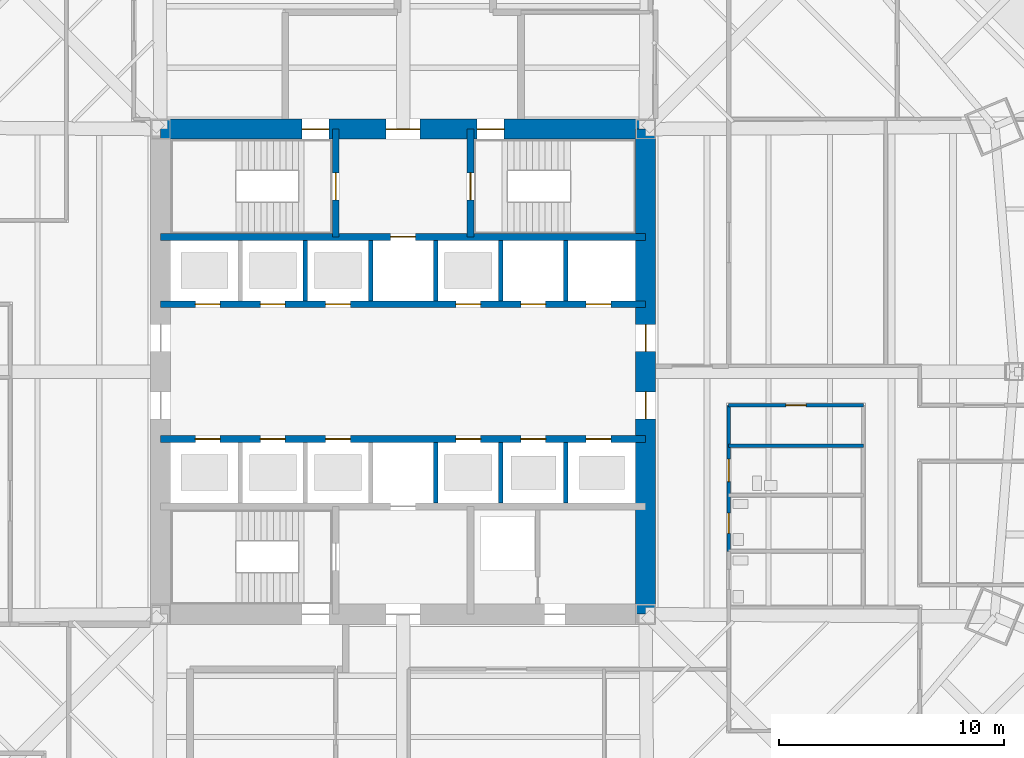
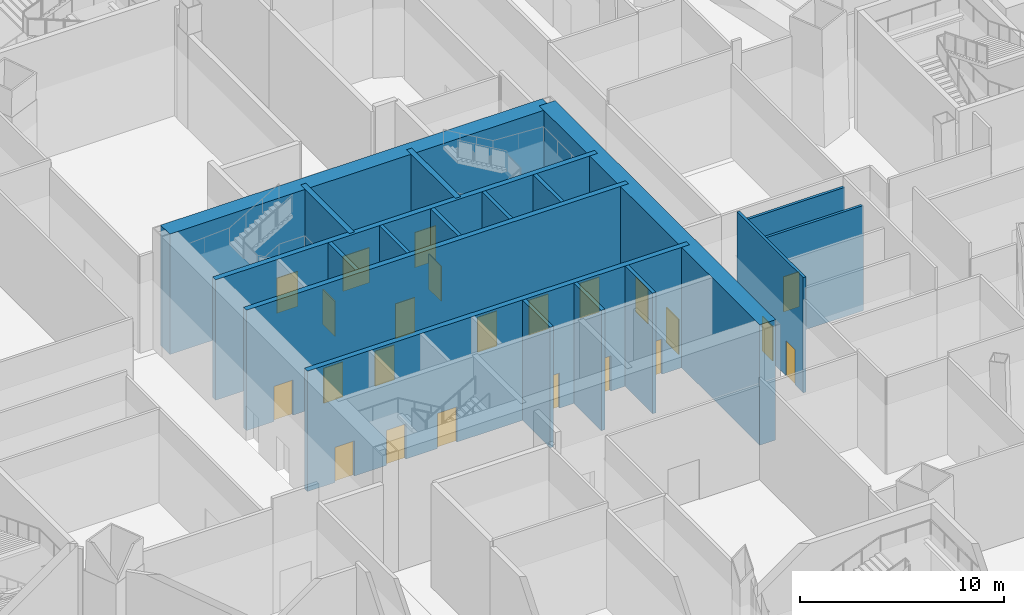
# One storey, part 22 of 35: 23 doors, 18 walls, 23 openings.
"""IFC4 building model written with IfcOpenShell, lengths in metres."""

from ifc_helpers import new_model, si_unit, direction, frame, frame_2d, origin, place, context, subcontext, project, spatial, rectangle, extrude, material, layer, layer_set, type_object, element, fill, save


model = new_model("IFC4")

# Units and contexts
model_context = context("Model", 3, precision=1e-05, world=origin(), true_north=direction((0.0, 1.0)))
body_context = subcontext(model_context, "Body", "Model", "MODEL_VIEW")
ifc_project = project(units=[si_unit("LENGTHUNIT", "METRE"), si_unit("AREAUNIT", "SQUARE_METRE"), si_unit("VOLUMEUNIT", "CUBIC_METRE"), si_unit("PLANEANGLEUNIT", "RADIAN"), si_unit("MASSUNIT", "GRAM", prefix="KILO")], contexts=[model_context])

# Site, building, storey
site_placement = place(None, origin())
site = spatial("IfcSite", under=ifc_project, at=site_placement, CompositionType="ELEMENT")
building_placement = place(site_placement, origin())
building = spatial("IfcBuilding", under=site, at=building_placement, Name="Mashrafa Tower", CompositionType="ELEMENT")
storey_placement = place(building_placement, origin())
storey = spatial("IfcBuildingStorey", under=building, at=storey_placement, Name="L00", CompositionType="ELEMENT", Elevation=0.0)

# Wall, openings, doors
ifc_material_1 = material(Name="Concrete C60/75", Category="concrete")
ifc_layer_1 = layer(ifc_material_1, 0.300048828125)
ifc_layer_set_1 = layer_set([ifc_layer_1], Name="Core wall 300 C60/75")
wall_type_1 = type_object("IfcWallType", Name="Core wall 300 C60/75", PredefinedType="SOLIDWALL", material=ifc_layer_set_1)
wall_1_placement = place(storey_placement, frame((-10.800048828125, 3.0, 0.0), z_axis=(0.0, 0.0, 1.0), x_axis=(1.0, 0.0, 0.0)))
wall_1 = element("IfcWall", 1, at=wall_1_placement, inside=storey, type_object=wall_type_1, Name="Core wall CH-N L00", PredefinedType="SOLIDWALL", context=body_context, shape_type="SweptSolid", body=[
    extrude(rectangle(XDim=21.60009765625, YDim=0.300048828125, at=frame_2d((10.800048828125, 0.0))), origin(), (0.0, 0.0, 1.0), 7.199951171875),
])
opening_1_placement = place(wall_1_placement, frame((1.550048828125, 0.0, 0.0)))
opening_1 = element("IfcOpeningElement", 2, at=opening_1_placement, cuts=wall_1, Name="Opening 00.A1", PredefinedType="OPENING", context=body_context, shape_type="SweptSolid", body=[
    extrude(rectangle(XDim=1.10009765625, YDim=2.10009765625, at=frame_2d((0.550048828125, 1.050048828125))), frame((0.0, 0.159912109375, 0.0), z_axis=(0.0, -1.0, 0.0), x_axis=(1.0, 0.0, 0.0)), (0.0, 0.0, 1.0), 0.320068359375),
])
opening_2_placement = place(wall_1_placement, frame((4.449951171875, 0.0, 0.0)))
opening_2 = element("IfcOpeningElement", 3, at=opening_2_placement, cuts=wall_1, Name="Opening 00.A2", PredefinedType="OPENING", context=body_context, shape_type="SweptSolid", body=[
    extrude(rectangle(XDim=1.10009765625, YDim=2.10009765625, at=frame_2d((0.550048828125, 1.050048828125))), frame((0.0, 0.159912109375, 0.0), z_axis=(0.0, -1.0, 0.0), x_axis=(1.0, 0.0, 0.0)), (0.0, 0.0, 1.0), 0.320068359375),
])
opening_3_placement = place(wall_1_placement, frame((7.35009765625, 0.0, 0.0)))
opening_3 = element("IfcOpeningElement", 4, at=opening_3_placement, cuts=wall_1, Name="Opening 00.A3", PredefinedType="OPENING", context=body_context, shape_type="SweptSolid", body=[
    extrude(rectangle(XDim=1.10009765625, YDim=2.10009765625, at=frame_2d((0.550048828125, 1.050048828125))), frame((0.0, 0.159912109375, 0.0), z_axis=(0.0, -1.0, 0.0), x_axis=(1.0, 0.0, 0.0)), (0.0, 0.0, 1.0), 0.320068359375),
])
opening_4_placement = place(wall_1_placement, frame((13.14990234375, 0.0, 0.0)))
opening_4 = element("IfcOpeningElement", 5, at=opening_4_placement, cuts=wall_1, Name="Opening 00.A4", PredefinedType="OPENING", context=body_context, shape_type="SweptSolid", body=[
    extrude(rectangle(XDim=1.10009765625, YDim=2.10009765625, at=frame_2d((0.550048828125, 1.050048828125))), frame((0.0, 0.159912109375, 0.0), z_axis=(0.0, -1.0, 0.0), x_axis=(1.0, 0.0, 0.0)), (0.0, 0.0, 1.0), 0.320068359375),
])
opening_5_placement = place(wall_1_placement, frame((16.050048828125, 0.0, 0.0)))
opening_5 = element("IfcOpeningElement", 6, at=opening_5_placement, cuts=wall_1, Name="Opening 00.K1", PredefinedType="OPENING", context=body_context, shape_type="SweptSolid", body=[
    extrude(rectangle(XDim=1.10009765625, YDim=2.10009765625, at=frame_2d((0.550048828125, 1.050048828125))), frame((0.0, 0.159912109375, 0.0), z_axis=(0.0, -1.0, 0.0), x_axis=(1.0, 0.0, 0.0)), (0.0, 0.0, 1.0), 0.320068359375),
])
opening_6_placement = place(wall_1_placement, frame((18.949951171875, 0.0, 0.0)))
opening_6 = element("IfcOpeningElement", 7, at=opening_6_placement, cuts=wall_1, Name="Opening 00.K2", PredefinedType="OPENING", context=body_context, shape_type="SweptSolid", body=[
    extrude(rectangle(XDim=1.10009765625, YDim=2.10009765625, at=frame_2d((0.550048828125, 1.050048828125))), frame((0.0, 0.159912109375, 0.0), z_axis=(0.0, -1.0, 0.0), x_axis=(1.0, 0.0, 0.0)), (0.0, 0.0, 1.0), 0.320068359375),
])
ifc_material_2 = material(Name="Steel door", Category="steel")
door_type_1 = type_object("IfcDoorType", Name="Lift landing door 1100 x 2100 90 min", OperationType="DOUBLE_DOOR_SLIDING", PredefinedType="DOOR", material=ifc_material_2)
door_1_placement = place(opening_1_placement, origin())
door_1 = element("IfcDoor", 8, at=door_1_placement, inside=storey, type_object=door_type_1, Name="Lift landing door A1 L00", OperationType="DOUBLE_DOOR_SLIDING", OverallHeight=2.10009765625, OverallWidth=1.10009765625, PredefinedType="DOOR", context=body_context, shape_type="SweptSolid", body=[
    extrude(rectangle(XDim=1.10009765625, YDim=2.10009765625, at=frame_2d((0.550048828125, 1.050048828125))), frame((0.0, 0.02490234375, 0.0), z_axis=(0.0, -1.0, 0.0), x_axis=(1.0, 0.0, 0.0)), (0.0, 0.0, 1.0), 0.050048828125),
])
fill(opening_1, door_1)
door_2_placement = place(opening_2_placement, origin())
door_2 = element("IfcDoor", 9, at=door_2_placement, inside=storey, type_object=door_type_1, Name="Lift landing door A2 L00", OperationType="DOUBLE_DOOR_SLIDING", OverallHeight=2.10009765625, OverallWidth=1.10009765625, PredefinedType="DOOR", context=body_context, shape_type="SweptSolid", body=[
    extrude(rectangle(XDim=1.10009765625, YDim=2.10009765625, at=frame_2d((0.550048828125, 1.050048828125))), frame((0.0, 0.02490234375, 0.0), z_axis=(0.0, -1.0, 0.0), x_axis=(1.0, 0.0, 0.0)), (0.0, 0.0, 1.0), 0.050048828125),
])
fill(opening_2, door_2)
door_3_placement = place(opening_3_placement, origin())
door_3 = element("IfcDoor", 10, at=door_3_placement, inside=storey, type_object=door_type_1, Name="Lift landing door A3 L00", OperationType="DOUBLE_DOOR_SLIDING", OverallHeight=2.10009765625, OverallWidth=1.10009765625, PredefinedType="DOOR", context=body_context, shape_type="SweptSolid", body=[
    extrude(rectangle(XDim=1.10009765625, YDim=2.10009765625, at=frame_2d((0.550048828125, 1.050048828125))), frame((0.0, 0.02490234375, 0.0), z_axis=(0.0, -1.0, 0.0), x_axis=(1.0, 0.0, 0.0)), (0.0, 0.0, 1.0), 0.050048828125),
])
fill(opening_3, door_3)
door_4_placement = place(opening_4_placement, origin())
door_4 = element("IfcDoor", 11, at=door_4_placement, inside=storey, type_object=door_type_1, Name="Lift landing door A4 L00", OperationType="DOUBLE_DOOR_SLIDING", OverallHeight=2.10009765625, OverallWidth=1.10009765625, PredefinedType="DOOR", context=body_context, shape_type="SweptSolid", body=[
    extrude(rectangle(XDim=1.10009765625, YDim=2.10009765625, at=frame_2d((0.550048828125, 1.050048828125))), frame((0.0, 0.02490234375, 0.0), z_axis=(0.0, -1.0, 0.0), x_axis=(1.0, 0.0, 0.0)), (0.0, 0.0, 1.0), 0.050048828125),
])
fill(opening_4, door_4)
door_5_placement = place(opening_5_placement, origin())
door_5 = element("IfcDoor", 12, at=door_5_placement, inside=storey, type_object=door_type_1, Name="Lift landing door K1 L00", OperationType="DOUBLE_DOOR_SLIDING", OverallHeight=2.10009765625, OverallWidth=1.10009765625, PredefinedType="DOOR", context=body_context, shape_type="SweptSolid", body=[
    extrude(rectangle(XDim=1.10009765625, YDim=2.10009765625, at=frame_2d((0.550048828125, 1.050048828125))), frame((0.0, 0.02490234375, 0.0), z_axis=(0.0, -1.0, 0.0), x_axis=(1.0, 0.0, 0.0)), (0.0, 0.0, 1.0), 0.050048828125),
])
fill(opening_5, door_5)
door_6_placement = place(opening_6_placement, origin())
door_6 = element("IfcDoor", 13, at=door_6_placement, inside=storey, type_object=door_type_1, Name="Lift landing door K2 L00", OperationType="DOUBLE_DOOR_SLIDING", OverallHeight=2.10009765625, OverallWidth=1.10009765625, PredefinedType="DOOR", context=body_context, shape_type="SweptSolid", body=[
    extrude(rectangle(XDim=1.10009765625, YDim=2.10009765625, at=frame_2d((0.550048828125, 1.050048828125))), frame((0.0, 0.02490234375, 0.0), z_axis=(0.0, -1.0, 0.0), x_axis=(1.0, 0.0, 0.0)), (0.0, 0.0, 1.0), 0.050048828125),
])
fill(opening_6, door_6)

# Wall, opening, door
wall_2_placement = place(storey_placement, frame((-10.800048828125, 6.0, 0.0), z_axis=(0.0, 0.0, 1.0), x_axis=(1.0, 0.0, 0.0)))
wall_2 = element("IfcWall", 14, at=wall_2_placement, inside=storey, type_object=wall_type_1, Name="Core wall CB-N L00", PredefinedType="SOLIDWALL", context=body_context, shape_type="SweptSolid", body=[
    extrude(rectangle(XDim=21.60009765625, YDim=0.300048828125, at=frame_2d((10.800048828125, 0.0))), origin(), (0.0, 0.0, 1.0), 7.199951171875),
])
opening_7_placement = place(wall_2_placement, frame((10.25, 0.0, 0.0)))
opening_7 = element("IfcOpeningElement", 15, at=opening_7_placement, cuts=wall_2, Name="Opening 00.F1", PredefinedType="OPENING", context=body_context, shape_type="SweptSolid", body=[
    extrude(rectangle(XDim=1.10009765625, YDim=2.10009765625, at=frame_2d((0.550048828125, 1.050048828125))), frame((0.0, 0.159912109375, 0.0), z_axis=(0.0, -1.0, 0.0), x_axis=(1.0, 0.0, 0.0)), (0.0, 0.0, 1.0), 0.320068359375),
])
door_7_placement = place(opening_7_placement, origin())
door_7 = element("IfcDoor", 16, at=door_7_placement, inside=storey, type_object=door_type_1, Name="Lift landing door F1 L00", OperationType="DOUBLE_DOOR_SLIDING", OverallHeight=2.10009765625, OverallWidth=1.10009765625, PredefinedType="DOOR", context=body_context, shape_type="SweptSolid", body=[
    extrude(rectangle(XDim=1.10009765625, YDim=2.10009765625, at=frame_2d((0.550048828125, 1.050048828125))), frame((0.0, 0.02490234375, 0.0), z_axis=(0.0, -1.0, 0.0), x_axis=(1.0, 0.0, 0.0)), (0.0, 0.0, 1.0), 0.050048828125),
])
fill(opening_7, door_7)

wall_3_placement = place(storey_placement, frame((-3.0, 6.0, 0.0), z_axis=(0.0, 0.0, 1.0), x_axis=(0.0, 1.0, 0.0)))
wall_3 = element("IfcWall", 17, at=wall_3_placement, inside=storey, type_object=wall_type_1, Name="Core wall CX-NW L00", PredefinedType="SOLIDWALL", context=body_context, shape_type="SweptSolid", body=[
    extrude(rectangle(XDim=4.800048828125, YDim=0.300048828125, at=frame_2d((2.39990234375, 0.0))), origin(), (0.0, 0.0, 1.0), 7.199951171875),
])
opening_8_placement = place(wall_3_placement, frame((1.64990234375, 0.0, 0.0)))
opening_8 = element("IfcOpeningElement", 18, at=opening_8_placement, cuts=wall_3, Name="Opening 00.037", PredefinedType="OPENING", context=body_context, shape_type="SweptSolid", body=[
    extrude(rectangle(XDim=1.199951171875, YDim=2.10009765625, at=frame_2d((0.60009765625, 1.050048828125))), frame((0.0, 0.159912109375, 0.0), z_axis=(0.0, -1.0, 0.0), x_axis=(1.0, 0.0, 0.0)), (0.0, 0.0, 1.0), 0.320068359375),
])
ifc_material_3 = material(Name="Steel door", Category="steel")
door_type_2 = type_object("IfcDoorType", Name="Stair door 1200 x 2100 90 min", OperationType="USERDEFINED", PredefinedType="DOOR", material=ifc_material_3)
door_8_placement = place(opening_8_placement, origin())
door_8 = element("IfcDoor", 19, at=door_8_placement, inside=storey, type_object=door_type_2, Name="Stair S1 door L00", OperationType="SINGLE_SWING_LEFT", OverallHeight=2.10009765625, OverallWidth=1.199951171875, PredefinedType="DOOR", context=body_context, shape_type="SweptSolid", body=[
    extrude(rectangle(XDim=1.199951171875, YDim=2.10009765625, at=frame_2d((0.60009765625, 1.050048828125))), frame((0.0, 0.02490234375, 0.0), z_axis=(0.0, -1.0, 0.0), x_axis=(1.0, 0.0, 0.0)), (0.0, 0.0, 1.0), 0.050048828125),
])
fill(opening_8, door_8)

wall_4_placement = place(storey_placement, frame((3.0, 6.0, 0.0), z_axis=(0.0, 0.0, 1.0), x_axis=(0.0, 1.0, 0.0)))
wall_4 = element("IfcWall", 20, at=wall_4_placement, inside=storey, type_object=wall_type_1, Name="Core wall CX-NE L00", PredefinedType="SOLIDWALL", context=body_context, shape_type="SweptSolid", body=[
    extrude(rectangle(XDim=4.800048828125, YDim=0.300048828125, at=frame_2d((2.39990234375, 0.0))), origin(), (0.0, 0.0, 1.0), 7.199951171875),
])
opening_9_placement = place(wall_4_placement, frame((1.64990234375, 0.0, 0.0)))
opening_9 = element("IfcOpeningElement", 21, at=opening_9_placement, cuts=wall_4, Name="Opening 00.038", PredefinedType="OPENING", context=body_context, shape_type="SweptSolid", body=[
    extrude(rectangle(XDim=1.199951171875, YDim=2.10009765625, at=frame_2d((0.60009765625, 1.050048828125))), frame((0.0, 0.159912109375, 0.0), z_axis=(0.0, -1.0, 0.0), x_axis=(1.0, 0.0, 0.0)), (0.0, 0.0, 1.0), 0.320068359375),
])
door_9_placement = place(opening_9_placement, frame((1.199951171875, 0.0, 0.0), z_axis=(0.0, 0.0, 1.0), x_axis=(-1.0, 0.0, 0.0)))
door_9 = element("IfcDoor", 22, at=door_9_placement, inside=storey, type_object=door_type_2, Name="Stair S2 door L00", OperationType="SINGLE_SWING_RIGHT", OverallHeight=2.10009765625, OverallWidth=1.199951171875, PredefinedType="DOOR", context=body_context, shape_type="SweptSolid", body=[
    extrude(rectangle(XDim=1.199951171875, YDim=2.10009765625, at=frame_2d((0.60009765625, 1.050048828125))), frame((0.0, 0.02490234375, 0.0), z_axis=(0.0, -1.0, 0.0), x_axis=(1.0, 0.0, 0.0)), (0.0, 0.0, 1.0), 0.050048828125),
])
fill(opening_9, door_9)

# Wall, openings, doors
wall_5_placement = place(storey_placement, frame((-10.800048828125, -3.0, 0.0), z_axis=(0.0, 0.0, 1.0), x_axis=(1.0, 0.0, 0.0)))
wall_5 = element("IfcWall", 23, at=wall_5_placement, inside=storey, type_object=wall_type_1, Name="Core wall CH-S L00", PredefinedType="SOLIDWALL", context=body_context, shape_type="SweptSolid", body=[
    extrude(rectangle(XDim=21.60009765625, YDim=0.300048828125, at=frame_2d((10.800048828125, 0.0))), origin(), (0.0, 0.0, 1.0), 7.199951171875),
])
opening_10_placement = place(wall_5_placement, frame((1.550048828125, 0.0, 0.0)))
opening_10 = element("IfcOpeningElement", 24, at=opening_10_placement, cuts=wall_5, Name="Opening 00.B1", PredefinedType="OPENING", context=body_context, shape_type="SweptSolid", body=[
    extrude(rectangle(XDim=1.10009765625, YDim=2.10009765625, at=frame_2d((0.550048828125, 1.050048828125))), frame((0.0, 0.159912109375, 0.0), z_axis=(0.0, -1.0, 0.0), x_axis=(1.0, 0.0, 0.0)), (0.0, 0.0, 1.0), 0.320068359375),
])
opening_11_placement = place(wall_5_placement, frame((4.449951171875, 0.0, 0.0)))
opening_11 = element("IfcOpeningElement", 25, at=opening_11_placement, cuts=wall_5, Name="Opening 00.B2", PredefinedType="OPENING", context=body_context, shape_type="SweptSolid", body=[
    extrude(rectangle(XDim=1.10009765625, YDim=2.10009765625, at=frame_2d((0.550048828125, 1.050048828125))), frame((0.0, 0.159912109375, 0.0), z_axis=(0.0, -1.0, 0.0), x_axis=(1.0, 0.0, 0.0)), (0.0, 0.0, 1.0), 0.320068359375),
])
opening_12_placement = place(wall_5_placement, frame((7.35009765625, 0.0, 0.0)))
opening_12 = element("IfcOpeningElement", 26, at=opening_12_placement, cuts=wall_5, Name="Opening 00.B3", PredefinedType="OPENING", context=body_context, shape_type="SweptSolid", body=[
    extrude(rectangle(XDim=1.10009765625, YDim=2.10009765625, at=frame_2d((0.550048828125, 1.050048828125))), frame((0.0, 0.159912109375, 0.0), z_axis=(0.0, -1.0, 0.0), x_axis=(1.0, 0.0, 0.0)), (0.0, 0.0, 1.0), 0.320068359375),
])
opening_13_placement = place(wall_5_placement, frame((13.14990234375, 0.0, 0.0)))
opening_13 = element("IfcOpeningElement", 27, at=opening_13_placement, cuts=wall_5, Name="Opening 00.B4", PredefinedType="OPENING", context=body_context, shape_type="SweptSolid", body=[
    extrude(rectangle(XDim=1.10009765625, YDim=2.10009765625, at=frame_2d((0.550048828125, 1.050048828125))), frame((0.0, 0.159912109375, 0.0), z_axis=(0.0, -1.0, 0.0), x_axis=(1.0, 0.0, 0.0)), (0.0, 0.0, 1.0), 0.320068359375),
])
opening_14_placement = place(wall_5_placement, frame((16.050048828125, 0.0, 0.0)))
opening_14 = element("IfcOpeningElement", 28, at=opening_14_placement, cuts=wall_5, Name="Opening 00.R1", PredefinedType="OPENING", context=body_context, shape_type="SweptSolid", body=[
    extrude(rectangle(XDim=1.10009765625, YDim=2.10009765625, at=frame_2d((0.550048828125, 1.050048828125))), frame((0.0, 0.159912109375, 0.0), z_axis=(0.0, -1.0, 0.0), x_axis=(1.0, 0.0, 0.0)), (0.0, 0.0, 1.0), 0.320068359375),
])
opening_15_placement = place(wall_5_placement, frame((18.949951171875, 0.0, 0.0)))
opening_15 = element("IfcOpeningElement", 29, at=opening_15_placement, cuts=wall_5, Name="Opening 00.R2", PredefinedType="OPENING", context=body_context, shape_type="SweptSolid", body=[
    extrude(rectangle(XDim=1.10009765625, YDim=2.10009765625, at=frame_2d((0.550048828125, 1.050048828125))), frame((0.0, 0.159912109375, 0.0), z_axis=(0.0, -1.0, 0.0), x_axis=(1.0, 0.0, 0.0)), (0.0, 0.0, 1.0), 0.320068359375),
])
door_10_placement = place(opening_10_placement, origin())
door_10 = element("IfcDoor", 30, at=door_10_placement, inside=storey, type_object=door_type_1, Name="Lift landing door B1 L00", OperationType="DOUBLE_DOOR_SLIDING", OverallHeight=2.10009765625, OverallWidth=1.10009765625, PredefinedType="DOOR", context=body_context, shape_type="SweptSolid", body=[
    extrude(rectangle(XDim=1.10009765625, YDim=2.10009765625, at=frame_2d((0.550048828125, 1.050048828125))), frame((0.0, 0.02490234375, 0.0), z_axis=(0.0, -1.0, 0.0), x_axis=(1.0, 0.0, 0.0)), (0.0, 0.0, 1.0), 0.050048828125),
])
fill(opening_10, door_10)
door_11_placement = place(opening_11_placement, origin())
door_11 = element("IfcDoor", 31, at=door_11_placement, inside=storey, type_object=door_type_1, Name="Lift landing door B2 L00", OperationType="DOUBLE_DOOR_SLIDING", OverallHeight=2.10009765625, OverallWidth=1.10009765625, PredefinedType="DOOR", context=body_context, shape_type="SweptSolid", body=[
    extrude(rectangle(XDim=1.10009765625, YDim=2.10009765625, at=frame_2d((0.550048828125, 1.050048828125))), frame((0.0, 0.02490234375, 0.0), z_axis=(0.0, -1.0, 0.0), x_axis=(1.0, 0.0, 0.0)), (0.0, 0.0, 1.0), 0.050048828125),
])
fill(opening_11, door_11)
door_12_placement = place(opening_12_placement, origin())
door_12 = element("IfcDoor", 32, at=door_12_placement, inside=storey, type_object=door_type_1, Name="Lift landing door B3 L00", OperationType="DOUBLE_DOOR_SLIDING", OverallHeight=2.10009765625, OverallWidth=1.10009765625, PredefinedType="DOOR", context=body_context, shape_type="SweptSolid", body=[
    extrude(rectangle(XDim=1.10009765625, YDim=2.10009765625, at=frame_2d((0.550048828125, 1.050048828125))), frame((0.0, 0.02490234375, 0.0), z_axis=(0.0, -1.0, 0.0), x_axis=(1.0, 0.0, 0.0)), (0.0, 0.0, 1.0), 0.050048828125),
])
fill(opening_12, door_12)
door_13_placement = place(opening_13_placement, origin())
door_13 = element("IfcDoor", 33, at=door_13_placement, inside=storey, type_object=door_type_1, Name="Lift landing door B4 L00", OperationType="DOUBLE_DOOR_SLIDING", OverallHeight=2.10009765625, OverallWidth=1.10009765625, PredefinedType="DOOR", context=body_context, shape_type="SweptSolid", body=[
    extrude(rectangle(XDim=1.10009765625, YDim=2.10009765625, at=frame_2d((0.550048828125, 1.050048828125))), frame((0.0, 0.02490234375, 0.0), z_axis=(0.0, -1.0, 0.0), x_axis=(1.0, 0.0, 0.0)), (0.0, 0.0, 1.0), 0.050048828125),
])
fill(opening_13, door_13)
door_14_placement = place(opening_14_placement, origin())
door_14 = element("IfcDoor", 34, at=door_14_placement, inside=storey, type_object=door_type_1, Name="Lift landing door R1 L00", OperationType="DOUBLE_DOOR_SLIDING", OverallHeight=2.10009765625, OverallWidth=1.10009765625, PredefinedType="DOOR", context=body_context, shape_type="SweptSolid", body=[
    extrude(rectangle(XDim=1.10009765625, YDim=2.10009765625, at=frame_2d((0.550048828125, 1.050048828125))), frame((0.0, 0.02490234375, 0.0), z_axis=(0.0, -1.0, 0.0), x_axis=(1.0, 0.0, 0.0)), (0.0, 0.0, 1.0), 0.050048828125),
])
fill(opening_14, door_14)
door_15_placement = place(opening_15_placement, origin())
door_15 = element("IfcDoor", 35, at=door_15_placement, inside=storey, type_object=door_type_1, Name="Lift landing door R2 L00", OperationType="DOUBLE_DOOR_SLIDING", OverallHeight=2.10009765625, OverallWidth=1.10009765625, PredefinedType="DOOR", context=body_context, shape_type="SweptSolid", body=[
    extrude(rectangle(XDim=1.10009765625, YDim=2.10009765625, at=frame_2d((0.550048828125, 1.050048828125))), frame((0.0, 0.02490234375, 0.0), z_axis=(0.0, -1.0, 0.0), x_axis=(1.0, 0.0, 0.0)), (0.0, 0.0, 1.0), 0.050048828125),
])
fill(opening_15, door_15)

ifc_material_4 = material(Name="Concrete C60/75", Category="concrete")
ifc_layer_2 = layer(ifc_material_4, 0.89990234375)
ifc_layer_set_2 = layer_set([ifc_layer_2], Name="Core wall 900 C60/75")
wall_type_2 = type_object("IfcWallType", Name="Core wall 900 C60/75", PredefinedType="SOLIDWALL", material=ifc_layer_set_2)
wall_6_placement = place(storey_placement, frame((10.800048828125, -10.800048828125, 0.0), z_axis=(0.0, 0.0, 1.0), x_axis=(0.0, 1.0, 0.0)))
wall_6 = element("IfcWall", 36, at=wall_6_placement, inside=storey, type_object=wall_type_2, Name="Core wall CW-E L00", PredefinedType="SOLIDWALL", context=body_context, shape_type="SweptSolid", body=[
    extrude(rectangle(XDim=21.60009765625, YDim=0.89990234375, at=frame_2d((10.800048828125, 0.0))), origin(), (0.0, 0.0, 1.0), 7.199951171875),
])
opening_16_placement = place(wall_6_placement, frame((11.699951171875, 0.0, 0.0)))
opening_16 = element("IfcOpeningElement", 37, at=opening_16_placement, cuts=wall_6, Name="Opening 00.031", PredefinedType="OPENING", context=body_context, shape_type="SweptSolid", body=[
    extrude(rectangle(XDim=1.199951171875, YDim=2.10009765625, at=frame_2d((0.60009765625, 1.050048828125))), frame((0.0, 0.4599609375, 0.0), z_axis=(0.0, -1.0, 0.0), x_axis=(1.0, 0.0, 0.0)), (0.0, 0.0, 1.0), 0.919921875),
])
opening_17_placement = place(wall_6_placement, frame((8.699951171875, 0.0, 0.0)))
opening_17 = element("IfcOpeningElement", 38, at=opening_17_placement, cuts=wall_6, Name="Opening 00.033", PredefinedType="OPENING", context=body_context, shape_type="SweptSolid", body=[
    extrude(rectangle(XDim=1.199951171875, YDim=2.10009765625, at=frame_2d((0.60009765625, 1.050048828125))), frame((0.0, 0.4599609375, 0.0), z_axis=(0.0, -1.0, 0.0), x_axis=(1.0, 0.0, 0.0)), (0.0, 0.0, 1.0), 0.919921875),
])
ifc_material_5 = material(Name="Steel door", Category="steel")
door_type_3 = type_object("IfcDoorType", Name="Lift hall door 1200 x 2100 90 min", OperationType="USERDEFINED", PredefinedType="DOOR", material=ifc_material_5)
door_16_placement = place(opening_16_placement, frame((1.199951171875, 0.0, 0.0), z_axis=(0.0, 0.0, 1.0), x_axis=(-1.0, 0.0, 0.0)))
door_16 = element("IfcDoor", 39, at=door_16_placement, inside=storey, type_object=door_type_3, Name="Lift hall door east L00", OperationType="SINGLE_SWING_RIGHT", OverallHeight=2.10009765625, OverallWidth=1.199951171875, PredefinedType="DOOR", context=body_context, shape_type="SweptSolid", body=[
    extrude(rectangle(XDim=1.199951171875, YDim=2.10009765625, at=frame_2d((0.60009765625, 1.050048828125))), frame((0.0, 0.02490234375, 0.0), z_axis=(0.0, -1.0, 0.0), x_axis=(1.0, 0.0, 0.0)), (0.0, 0.0, 1.0), 0.050048828125),
])
fill(opening_16, door_16)
door_17_placement = place(opening_17_placement, frame((1.199951171875, 0.0, 0.0), z_axis=(0.0, 0.0, 1.0), x_axis=(-1.0, 0.0, 0.0)))
door_17 = element("IfcDoor", 40, at=door_17_placement, inside=storey, type_object=door_type_3, Name="Lift hall door east L00", OperationType="SINGLE_SWING_LEFT", OverallHeight=2.10009765625, OverallWidth=1.199951171875, PredefinedType="DOOR", context=body_context, shape_type="SweptSolid", body=[
    extrude(rectangle(XDim=1.199951171875, YDim=2.10009765625, at=frame_2d((0.60009765625, 1.050048828125))), frame((0.0, 0.02490234375, 0.0), z_axis=(0.0, -1.0, 0.0), x_axis=(1.0, 0.0, 0.0)), (0.0, 0.0, 1.0), 0.050048828125),
])
fill(opening_17, door_17)

wall_7_placement = place(storey_placement, frame((10.800048828125, 10.800048828125, 0.0), z_axis=(0.0, 0.0, 1.0), x_axis=(-1.0, 0.0, 0.0)))
wall_7 = element("IfcWall", 41, at=wall_7_placement, inside=storey, type_object=wall_type_2, Name="Core wall CW-N L00", PredefinedType="SOLIDWALL", context=body_context, shape_type="SweptSolid", body=[
    extrude(rectangle(XDim=21.60009765625, YDim=0.89990234375, at=frame_2d((10.800048828125, 0.0))), origin(), (0.0, 0.0, 1.0), 7.199951171875),
])
opening_18_placement = place(wall_7_placement, frame((10.050048828125, 0.0, 0.0)))
opening_18 = element("IfcOpeningElement", 42, at=opening_18_placement, cuts=wall_7, Name="Opening 00.035", PredefinedType="OPENING", context=body_context, shape_type="SweptSolid", body=[
    extrude(rectangle(XDim=1.5, YDim=2.10009765625, at=frame_2d((0.75, 1.050048828125))), frame((0.0, 0.4599609375, 0.0), z_axis=(0.0, -1.0, 0.0), x_axis=(1.0, 0.0, 0.0)), (0.0, 0.0, 1.0), 0.919921875),
])
opening_19_placement = place(wall_7_placement, frame((14.10009765625, 0.0, 0.0)))
opening_19 = element("IfcOpeningElement", 43, at=opening_19_placement, cuts=wall_7, Name="Opening 00.040", PredefinedType="OPENING", context=body_context, shape_type="SweptSolid", body=[
    extrude(rectangle(XDim=1.199951171875, YDim=2.10009765625, at=frame_2d((0.60009765625, 1.050048828125))), frame((0.0, 0.4599609375, 0.0), z_axis=(0.0, -1.0, 0.0), x_axis=(1.0, 0.0, 0.0)), (0.0, 0.0, 1.0), 0.919921875),
])
opening_20_placement = place(wall_7_placement, frame((6.300048828125, 0.0, 0.0)))
opening_20 = element("IfcOpeningElement", 44, at=opening_20_placement, cuts=wall_7, Name="Opening 00.041", PredefinedType="OPENING", context=body_context, shape_type="SweptSolid", body=[
    extrude(rectangle(XDim=1.199951171875, YDim=2.10009765625, at=frame_2d((0.60009765625, 1.050048828125))), frame((0.0, 0.4599609375, 0.0), z_axis=(0.0, -1.0, 0.0), x_axis=(1.0, 0.0, 0.0)), (0.0, 0.0, 1.0), 0.919921875),
])
ifc_material_6 = material(Name="Steel door", Category="steel")
door_type_4 = type_object("IfcDoorType", Name="Lobby door pair 1500 x 2100 90 min", OperationType="DOUBLE_DOOR_SINGLE_SWING", PredefinedType="DOOR", material=ifc_material_6)
door_18_placement = place(opening_18_placement, frame((1.5, 0.0, 0.0), z_axis=(0.0, 0.0, 1.0), x_axis=(-1.0, 0.0, 0.0)))
door_18 = element("IfcDoor", 45, at=door_18_placement, inside=storey, type_object=door_type_4, Name="Fire-fighting lobby F1 door L00", OperationType="DOUBLE_DOOR_SINGLE_SWING", OverallHeight=2.10009765625, OverallWidth=1.5, PredefinedType="DOOR", context=body_context, shape_type="SweptSolid", body=[
    extrude(rectangle(XDim=1.5, YDim=2.10009765625, at=frame_2d((0.75, 1.050048828125))), frame((0.0, 0.02490234375, 0.0), z_axis=(0.0, -1.0, 0.0), x_axis=(1.0, 0.0, 0.0)), (0.0, 0.0, 1.0), 0.050048828125),
])
fill(opening_18, door_18)
door_19_placement = place(opening_19_placement, origin())
door_19 = element("IfcDoor", 46, at=door_19_placement, inside=storey, type_object=door_type_2, Name="Stair S1 exit passage door L00", OperationType="SINGLE_SWING_LEFT", OverallHeight=2.10009765625, OverallWidth=1.199951171875, PredefinedType="DOOR", context=body_context, shape_type="SweptSolid", body=[
    extrude(rectangle(XDim=1.199951171875, YDim=2.10009765625, at=frame_2d((0.60009765625, 1.050048828125))), frame((0.0, 0.02490234375, 0.0), z_axis=(0.0, -1.0, 0.0), x_axis=(1.0, 0.0, 0.0)), (0.0, 0.0, 1.0), 0.050048828125),
])
fill(opening_19, door_19)
door_20_placement = place(opening_20_placement, origin())
door_20 = element("IfcDoor", 47, at=door_20_placement, inside=storey, type_object=door_type_2, Name="Stair S2 exit passage door L00", OperationType="SINGLE_SWING_RIGHT", OverallHeight=2.10009765625, OverallWidth=1.199951171875, PredefinedType="DOOR", context=body_context, shape_type="SweptSolid", body=[
    extrude(rectangle(XDim=1.199951171875, YDim=2.10009765625, at=frame_2d((0.60009765625, 1.050048828125))), frame((0.0, 0.02490234375, 0.0), z_axis=(0.0, -1.0, 0.0), x_axis=(1.0, 0.0, 0.0)), (0.0, 0.0, 1.0), 0.050048828125),
])
fill(opening_20, door_20)

ifc_material_7 = material(Name="Gypsum board on steel studs", Category="steel")
ifc_layer_3 = layer(ifc_material_7, 0.14990234375)
ifc_layer_set_3 = layer_set([ifc_layer_3], Name="Corridor partition 150 1 hr")
wall_type_3 = type_object("IfcWallType", Name="Corridor partition 150 1 hr", PredefinedType="PARTITIONING", material=ifc_layer_set_3)
wall_8_placement = place(storey_placement, frame((14.5, -8.0, 0.0), z_axis=(0.0, 0.0, 1.0), x_axis=(0.0, 1.0, 0.0)))
wall_8 = element("IfcWall", 48, at=wall_8_placement, inside=storey, type_object=wall_type_3, Name="Corridor wall L00-030", PredefinedType="PARTITIONING", context=body_context, shape_type="SweptSolid", body=[
    extrude(rectangle(XDim=6.5, YDim=0.14990234375, at=frame_2d((3.25, 0.0))), origin(), (0.0, 0.0, 1.0), 6.89990234375),
])
opening_21_placement = place(wall_8_placement, frame((0.800048828125, 0.0, 0.0)))
opening_21 = element("IfcOpeningElement", 49, at=opening_21_placement, cuts=wall_8, Name="Opening 00.002", PredefinedType="OPENING", context=body_context, shape_type="SweptSolid", body=[
    extrude(rectangle(XDim=0.89990234375, YDim=2.10009765625, at=frame_2d((0.449951171875, 1.050048828125))), frame((0.0, 0.0849609375, 0.0), z_axis=(0.0, -1.0, 0.0), x_axis=(1.0, 0.0, 0.0)), (0.0, 0.0, 1.0), 0.169921875),
])
opening_22_placement = place(wall_8_placement, frame((3.10009765625, 0.0, 0.0)))
opening_22 = element("IfcOpeningElement", 50, at=opening_22_placement, cuts=wall_8, Name="Opening 00.003", PredefinedType="OPENING", context=body_context, shape_type="SweptSolid", body=[
    extrude(rectangle(XDim=1.0, YDim=2.10009765625, at=frame_2d((0.5, 1.050048828125))), frame((0.0, 0.0849609375, 0.0), z_axis=(0.0, -1.0, 0.0), x_axis=(1.0, 0.0, 0.0)), (0.0, 0.0, 1.0), 0.169921875),
])
ifc_material_8 = material(Name="Timber door", Category="wood")
door_type_5 = type_object("IfcDoorType", Name="Accessible toilet door 1000 x 2100", OperationType="USERDEFINED", PredefinedType="DOOR", material=ifc_material_8)
door_21_placement = place(opening_22_placement, frame((1.0, 0.0, 0.0), z_axis=(0.0, 0.0, 1.0), x_axis=(-1.0, 0.0, 0.0)))
door_21 = element("IfcDoor", 51, at=door_21_placement, inside=storey, type_object=door_type_5, Name="Accessible WC L00 door", OperationType="SINGLE_SWING_RIGHT", OverallHeight=2.10009765625, OverallWidth=1.0, PredefinedType="DOOR", context=body_context, shape_type="SweptSolid", body=[
    extrude(rectangle(XDim=1.0, YDim=2.10009765625, at=frame_2d((0.5, 1.050048828125))), frame((0.0, 0.02490234375, 0.0), z_axis=(0.0, -1.0, 0.0), x_axis=(1.0, 0.0, 0.0)), (0.0, 0.0, 1.0), 0.050048828125),
])
fill(opening_22, door_21)
ifc_material_9 = material(Name="Timber door", Category="wood")
door_type_6 = type_object("IfcDoorType", Name="Toilet door 900 x 2100", OperationType="USERDEFINED", PredefinedType="DOOR", material=ifc_material_9)
door_22_placement = place(opening_21_placement, frame((0.89990234375, 0.0, 0.0), z_axis=(0.0, 0.0, 1.0), x_axis=(-1.0, 0.0, 0.0)))
door_22 = element("IfcDoor", 52, at=door_22_placement, inside=storey, type_object=door_type_6, Name="WC Male L00 door", OperationType="SINGLE_SWING_RIGHT", OverallHeight=2.10009765625, OverallWidth=0.89990234375, PredefinedType="DOOR", context=body_context, shape_type="SweptSolid", body=[
    extrude(rectangle(XDim=0.89990234375, YDim=2.10009765625, at=frame_2d((0.449951171875, 1.050048828125))), frame((0.0, 0.02490234375, 0.0), z_axis=(0.0, -1.0, 0.0), x_axis=(1.0, 0.0, 0.0)), (0.0, 0.0, 1.0), 0.050048828125),
])
fill(opening_21, door_22)

# Wall, opening, door
wall_9_placement = place(storey_placement, frame((20.5, -1.5, 0.0), z_axis=(0.0, 0.0, 1.0), x_axis=(-1.0, 0.0, 0.0)))
wall_9 = element("IfcWall", 53, at=wall_9_placement, inside=storey, type_object=wall_type_3, Name="Corridor wall L00-036", PredefinedType="PARTITIONING", context=body_context, shape_type="SweptSolid", body=[
    extrude(rectangle(XDim=6.0, YDim=0.14990234375, at=frame_2d((3.0, 0.0))), origin(), (0.0, 0.0, 1.0), 6.282958984375),
])
opening_23_placement = place(wall_9_placement, frame((2.550048828125, 0.0, 0.0)))
opening_23 = element("IfcOpeningElement", 54, at=opening_23_placement, cuts=wall_9, Name="Opening 00.004", PredefinedType="OPENING", context=body_context, shape_type="SweptSolid", body=[
    extrude(rectangle(XDim=0.89990234375, YDim=2.10009765625, at=frame_2d((0.449951171875, 1.050048828125))), frame((0.0, 0.0849609375, 0.0), z_axis=(0.0, -1.0, 0.0), x_axis=(1.0, 0.0, 0.0)), (0.0, 0.0, 1.0), 0.169921875),
])
ifc_material_10 = material(Name="Timber door", Category="wood")
door_type_7 = type_object("IfcDoorType", Name="Store door 900 x 2100", OperationType="USERDEFINED", PredefinedType="DOOR", material=ifc_material_10)
door_23_placement = place(opening_23_placement, origin())
door_23 = element("IfcDoor", 55, at=door_23_placement, inside=storey, type_object=door_type_7, Name="Cleaner's Store L00 door", OperationType="SINGLE_SWING_LEFT", OverallHeight=2.10009765625, OverallWidth=0.89990234375, PredefinedType="DOOR", context=body_context, shape_type="SweptSolid", body=[
    extrude(rectangle(XDim=0.89990234375, YDim=2.10009765625, at=frame_2d((0.449951171875, 1.050048828125))), frame((0.0, 0.02490234375, 0.0), z_axis=(0.0, -1.0, 0.0), x_axis=(1.0, 0.0, 0.0)), (0.0, 0.0, 1.0), 0.050048828125),
])
fill(opening_23, door_23)

# Walls
ifc_material_11 = material(Name="Gypsum board on steel studs", Category="steel")
ifc_layer_4 = layer(ifc_material_11, 0.14990234375)
ifc_layer_set_4 = layer_set([ifc_layer_4], Name="Partition 150")
wall_type_4 = type_object("IfcWallType", Name="Partition 150", PredefinedType="PARTITIONING", material=ifc_layer_set_4)
wall_10_placement = place(storey_placement, frame((20.5, -3.300048828125, 0.0), z_axis=(0.0, 0.0, 1.0), x_axis=(-1.0, 0.0, 0.0)))
element("IfcWall", 56, at=wall_10_placement, inside=storey, type_object=wall_type_4, Name="Partition wall L00-032", PredefinedType="PARTITIONING", context=body_context, shape_type="SweptSolid", body=[
    extrude(rectangle(XDim=6.0, YDim=0.14990234375, at=frame_2d((3.0, 0.0))), origin(), (0.0, 0.0, 1.0), 6.282958984375),
])
ifc_material_12 = material(Name="Gypsum shaft wall on steel studs", Category="steel")
ifc_layer_5 = layer(ifc_material_12, 0.199951171875)
ifc_layer_set_5 = layer_set([ifc_layer_5], Name="Shaft divider wall 200 2 hr")
wall_type_5 = type_object("IfcWallType", Name="Shaft divider wall 200 2 hr", PredefinedType="PARTITIONING", material=ifc_layer_set_5)
for number, where, z_axis, x_axis, name in (
    (57, (-4.35009765625, 3.14990234375, 0.0), (0.0, 0.0, 1.0), (0.0, 1.0, 0.0), "Shaft divider wall N2 L00"),
    (58, (-1.449951171875, 3.14990234375, 0.0), (0.0, 0.0, 1.0), (0.0, 1.0, 0.0), "Shaft divider wall N3 L00"),
    (59, (1.449951171875, 3.14990234375, 0.0), (0.0, 0.0, 1.0), (0.0, 1.0, 0.0), "Shaft divider wall N4 L00"),
    (60, (4.35009765625, 3.14990234375, 0.0), (0.0, 0.0, 1.0), (0.0, 1.0, 0.0), "Shaft divider wall N5 L00"),
    (61, (7.25, 3.14990234375, 0.0), (0.0, 0.0, 1.0), (0.0, 1.0, 0.0), "Shaft divider wall N6 L00"),
    (62, (1.449951171875, -5.85009765625, 0.0), (0.0, 0.0, 1.0), (0.0, 1.0, 0.0), "Shaft divider wall S4 L00"),
    (63, (4.35009765625, -5.85009765625, 0.0), (0.0, 0.0, 1.0), (0.0, 1.0, 0.0), "Shaft divider wall S5 L00"),
    (64, (7.25, -5.85009765625, 0.0), (0.0, 0.0, 1.0), (0.0, 1.0, 0.0), "Shaft divider wall S6 L00"),
):
    element("IfcWall", number, at=place(storey_placement, frame(where, z_axis=z_axis, x_axis=x_axis)), inside=storey, type_object=wall_type_5, Name=name, PredefinedType="PARTITIONING", context=body_context, shape_type="SweptSolid", body=[
        extrude(rectangle(XDim=2.7001953125, YDim=0.199951171875, at=frame_2d((1.35009765625, 0.0))), origin(), (0.0, 0.0, 1.0), 7.199951171875),
    ])

save(model, "model.ifc")
